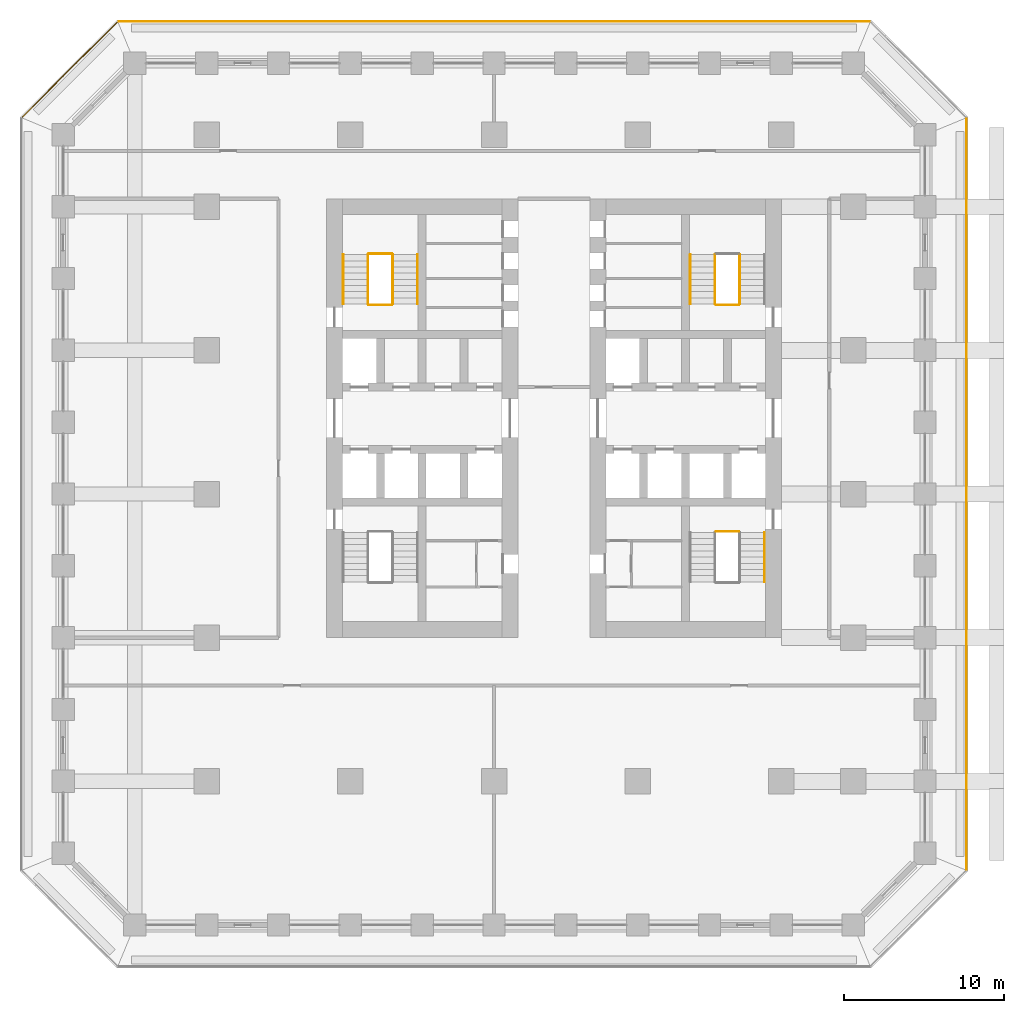
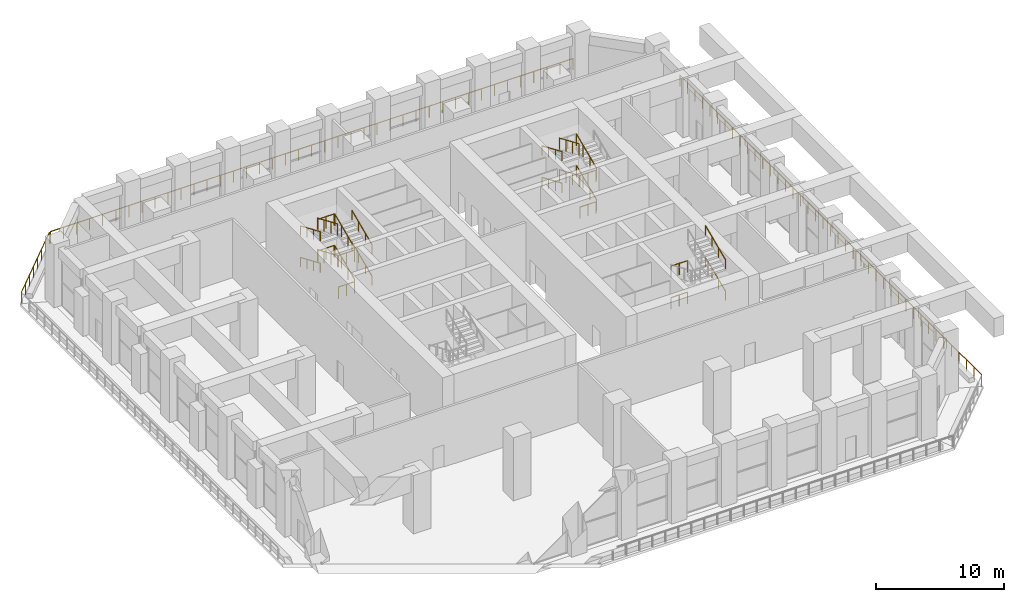
# One storey, part 19 of 21: 27 railings.
"""IFC4 building model written with IfcOpenShell, lengths in metres."""

from ifc_helpers import new_model, si_unit, direction, frame, origin, origin_2d, place, context, subcontext, project, spatial, circle, extrude, material, type_object, element, save


model = new_model("IFC4")

# Units and contexts
model_context = context("Model", 3, precision=1e-05, world=origin(), true_north=direction((0.0, 1.0)))
body_context = subcontext(model_context, "Body", "Model", "MODEL_VIEW")
ifc_project = project(units=[si_unit("LENGTHUNIT", "METRE"), si_unit("AREAUNIT", "SQUARE_METRE"), si_unit("VOLUMEUNIT", "CUBIC_METRE"), si_unit("PLANEANGLEUNIT", "RADIAN"), si_unit("MASSUNIT", "GRAM", prefix="KILO")], contexts=[model_context])

# Site, building, storey
site_placement = place(None, origin())
site = spatial("IfcSite", under=ifc_project, at=site_placement, CompositionType="ELEMENT")
building_placement = place(site_placement, origin())
building = spatial("IfcBuilding", under=site, at=building_placement, Name="Corbel Stack Research Tower", CompositionType="ELEMENT")
storey_placement = place(building_placement, frame((0.0, 0.0, 35.89990234375)))
storey = spatial("IfcBuildingStorey", under=building, at=storey_placement, Name="L08", CompositionType="ELEMENT", Elevation=35.89990234375)

# Railings
ifc_material_1 = material(Name="Steel S355", Category="steel")
railing_type_1 = type_object("IfcRailingType", Name="Stair guard 1100", PredefinedType="GUARDRAIL", material=ifc_material_1)
railing_1_placement = place(storey_placement, frame((-6.35009765625, 11.89990234375, 0.166748046875)))
element("IfcRailing", 1, at=railing_1_placement, inside=storey, type_object=railing_type_1, Name="L08 ST-W2 stair guard 1", PredefinedType="GUARDRAIL", context=body_context, shape_type="SweptSolid", body=[
    extrude(circle(Radius=0.02392578125, at=origin_2d()), frame((0.0, 0.0, 1.076171875), z_axis=(0.0, 0.918826996994, 0.394660549834), x_axis=(-1.0, 0.0, 0.0)), (0.0, 0.0, 1.0), 3.378173828125),
    extrude(circle(Radius=0.02099609375, at=origin_2d()), origin(), (0.0, 0.0, 1.0), 1.052001953125),
    extrude(circle(Radius=0.02099609375, at=origin_2d()), frame((0.0, 1.03466796875, 0.4443359375)), (0.0, 0.0, 1.0), 1.052001953125),
    extrude(circle(Radius=0.02099609375, at=origin_2d()), frame((0.0, 2.0693359375, 0.888916015625)), (0.0, 0.0, 1.0), 1.052001953125),
    extrude(circle(Radius=0.02099609375, at=origin_2d()), frame((0.0, 3.10400390625, 1.333251953125)), (0.0, 0.0, 1.0), 1.052001953125),
])
railing_2_placement = place(storey_placement, frame((-6.39990234375, 15.053955078125, 1.5)))
element("IfcRailing", 2, at=railing_2_placement, inside=storey, type_object=railing_type_1, Name="L08 ST-W2 stair guard 2", PredefinedType="GUARDRAIL", context=body_context, shape_type="SweptSolid", body=[
    extrude(circle(Radius=0.02392578125, at=origin_2d()), frame((0.0, 0.0, 1.076171875), z_axis=(-1.0, 0.0, 0.0), x_axis=(0.0, -1.0, 0.0)), (0.0, 0.0, 1.0), 1.4501953125),
    extrude(circle(Radius=0.02099609375, at=origin_2d()), origin(), (0.0, 0.0, 1.0), 1.052001953125),
    extrude(circle(Radius=0.02099609375, at=origin_2d()), frame((-0.72509765625, 0.0, 0.0)), (0.0, 0.0, 1.0), 1.052001953125),
    extrude(circle(Radius=0.02099609375, at=origin_2d()), frame((-1.4501953125, 0.0, 0.0)), (0.0, 0.0, 1.0), 1.052001953125),
])
railing_3_placement = place(storey_placement, frame((-7.89990234375, 15.00390625, 1.666748046875)))
element("IfcRailing", 3, at=railing_3_placement, inside=storey, type_object=railing_type_1, Name="L08 ST-W2 stair guard 3", PredefinedType="GUARDRAIL", context=body_context, shape_type="SweptSolid", body=[
    extrude(circle(Radius=0.02392578125, at=origin_2d()), frame((0.0, 0.0, 1.076171875), z_axis=(0.0, -0.918826996994, 0.394660549834), x_axis=(1.0, 0.0, 0.0)), (0.0, 0.0, 1.0), 3.378173828125),
    extrude(circle(Radius=0.02099609375, at=origin_2d()), origin(), (0.0, 0.0, 1.0), 1.052001953125),
    extrude(circle(Radius=0.02099609375, at=origin_2d()), frame((0.0, -1.03466796875, 0.4443359375)), (0.0, 0.0, 1.0), 1.052001953125),
    extrude(circle(Radius=0.02099609375, at=origin_2d()), frame((0.0, -2.0693359375, 0.888916015625)), (0.0, 0.0, 1.0), 1.052001953125),
    extrude(circle(Radius=0.02099609375, at=origin_2d()), frame((0.0, -3.10400390625, 1.333251953125)), (0.0, 0.0, 1.0), 1.052001953125),
])
railing_4_placement = place(storey_placement, frame((-6.39990234375, 11.85009765625, 3.0)))
element("IfcRailing", 4, at=railing_4_placement, inside=storey, type_object=railing_type_1, Name="L08 ST-W2 stair guard 4", PredefinedType="GUARDRAIL", context=body_context, shape_type="SweptSolid", body=[
    extrude(circle(Radius=0.02392578125, at=origin_2d()), frame((0.0, 0.0, 1.076171875), z_axis=(-1.0, 0.0, 0.0), x_axis=(0.0, -1.0, 0.0)), (0.0, 0.0, 1.0), 1.4501953125),
    extrude(circle(Radius=0.02099609375, at=origin_2d()), origin(), (0.0, 0.0, 1.0), 1.052001953125),
    extrude(circle(Radius=0.02099609375, at=origin_2d()), frame((-0.72509765625, 0.0, 0.0)), (0.0, 0.0, 1.0), 1.052001953125),
    extrude(circle(Radius=0.02099609375, at=origin_2d()), frame((-1.4501953125, 0.0, 0.0)), (0.0, 0.0, 1.0), 1.052001953125),
])
railing_5_placement = place(storey_placement, frame((-6.35009765625, 11.89990234375, 3.166748046875)))
element("IfcRailing", 5, at=railing_5_placement, inside=storey, type_object=railing_type_1, Name="L08 ST-W2 stair guard 5", PredefinedType="GUARDRAIL", context=body_context, shape_type="SweptSolid", body=[
    extrude(circle(Radius=0.02392578125, at=origin_2d()), frame((0.0, 0.0, 1.076171875), z_axis=(0.0, 0.918826996994, 0.394660549834), x_axis=(-1.0, 0.0, 0.0)), (0.0, 0.0, 1.0), 3.378173828125),
    extrude(circle(Radius=0.02099609375, at=origin_2d()), origin(), (0.0, 0.0, 1.0), 1.052001953125),
    extrude(circle(Radius=0.02099609375, at=origin_2d()), frame((0.0, 1.03466796875, 0.4443359375)), (0.0, 0.0, 1.0), 1.052001953125),
    extrude(circle(Radius=0.02099609375, at=origin_2d()), frame((0.0, 2.0693359375, 0.888916015625)), (0.0, 0.0, 1.0), 1.052001953125),
    extrude(circle(Radius=0.02099609375, at=origin_2d()), frame((0.0, 3.10400390625, 1.333251953125)), (0.0, 0.0, 1.0), 1.052001953125),
])
railing_6_placement = place(storey_placement, frame((-6.39990234375, 15.053955078125, 4.5)))
element("IfcRailing", 6, at=railing_6_placement, inside=storey, type_object=railing_type_1, Name="L08 ST-W2 stair guard 6", PredefinedType="GUARDRAIL", context=body_context, shape_type="SweptSolid", body=[
    extrude(circle(Radius=0.02392578125, at=origin_2d()), frame((0.0, 0.0, 1.076171875), z_axis=(-1.0, 0.0, 0.0), x_axis=(0.0, -1.0, 0.0)), (0.0, 0.0, 1.0), 1.4501953125),
    extrude(circle(Radius=0.02099609375, at=origin_2d()), origin(), (0.0, 0.0, 1.0), 1.052001953125),
    extrude(circle(Radius=0.02099609375, at=origin_2d()), frame((-0.72509765625, 0.0, 0.0)), (0.0, 0.0, 1.0), 1.052001953125),
    extrude(circle(Radius=0.02099609375, at=origin_2d()), frame((-1.4501953125, 0.0, 0.0)), (0.0, 0.0, 1.0), 1.052001953125),
])
railing_7_placement = place(storey_placement, frame((-7.89990234375, 15.00390625, 4.666748046875)))
element("IfcRailing", 7, at=railing_7_placement, inside=storey, type_object=railing_type_1, Name="L08 ST-W2 stair guard 7", PredefinedType="GUARDRAIL", context=body_context, shape_type="SweptSolid", body=[
    extrude(circle(Radius=0.02392578125, at=origin_2d()), frame((0.0, 0.0, 1.076171875), z_axis=(0.0, -0.918826996994, 0.394660549834), x_axis=(1.0, 0.0, 0.0)), (0.0, 0.0, 1.0), 3.378173828125),
    extrude(circle(Radius=0.02099609375, at=origin_2d()), origin(), (0.0, 0.0, 1.0), 1.052001953125),
    extrude(circle(Radius=0.02099609375, at=origin_2d()), frame((0.0, -1.03466796875, 0.4443359375)), (0.0, 0.0, 1.0), 1.052001953125),
    extrude(circle(Radius=0.02099609375, at=origin_2d()), frame((0.0, -2.0693359375, 0.888916015625)), (0.0, 0.0, 1.0), 1.052001953125),
    extrude(circle(Radius=0.02099609375, at=origin_2d()), frame((0.0, -3.10400390625, 1.333251953125)), (0.0, 0.0, 1.0), 1.052001953125),
])
railing_8_placement = place(storey_placement, frame((-6.39990234375, 11.85009765625, 0.0)))
element("IfcRailing", 8, at=railing_8_placement, inside=storey, type_object=railing_type_1, Name="L08 ST-W2 stair guard 8", PredefinedType="GUARDRAIL", context=body_context, shape_type="SweptSolid", body=[
    extrude(circle(Radius=0.02392578125, at=origin_2d()), frame((0.0, 0.0, 1.076171875), z_axis=(-1.0, 0.0, 0.0), x_axis=(0.0, -1.0, 0.0)), (0.0, 0.0, 1.0), 1.4501953125),
    extrude(circle(Radius=0.02099609375, at=origin_2d()), origin(), (0.0, 0.0, 1.0), 1.052001953125),
    extrude(circle(Radius=0.02099609375, at=origin_2d()), frame((-0.72509765625, 0.0, 0.0)), (0.0, 0.0, 1.0), 1.052001953125),
    extrude(circle(Radius=0.02099609375, at=origin_2d()), frame((-1.4501953125, 0.0, 0.0)), (0.0, 0.0, 1.0), 1.052001953125),
])
for number, where, name in (
    (9, (13.89990234375, -2.35009765625, 3.0), "L08 ST-E1 stair guard 4"),
    (10, (13.89990234375, -2.35009765625, 0.0), "L08 ST-E1 stair guard 8"),
):
    element("IfcRailing", number, at=place(storey_placement, frame(where)), inside=storey, type_object=railing_type_1, Name=name, PredefinedType="GUARDRAIL", context=body_context, shape_type="SweptSolid", body=[
        extrude(circle(Radius=0.02392578125, at=origin_2d()), frame((0.0, 0.0, 1.076171875), z_axis=(1.0, 0.0, 0.0), x_axis=(0.0, 1.0, 0.0)), (0.0, 0.0, 1.0), 1.4501953125),
        extrude(circle(Radius=0.02099609375, at=origin_2d()), origin(), (0.0, 0.0, 1.0), 1.052001953125),
        extrude(circle(Radius=0.02099609375, at=origin_2d()), frame((0.72509765625, 0.0, 0.0)), (0.0, 0.0, 1.0), 1.052001953125),
        extrude(circle(Radius=0.02099609375, at=origin_2d()), frame((1.4501953125, 0.0, 0.0)), (0.0, 0.0, 1.0), 1.052001953125),
    ])
railing_9_placement = place(storey_placement, frame((15.39990234375, 11.89990234375, 0.166748046875)))
element("IfcRailing", 11, at=railing_9_placement, inside=storey, type_object=railing_type_1, Name="L08 ST-E2 stair guard 1", PredefinedType="GUARDRAIL", context=body_context, shape_type="SweptSolid", body=[
    extrude(circle(Radius=0.02392578125, at=origin_2d()), frame((0.0, 0.0, 1.076171875), z_axis=(0.0, 0.918826996994, 0.394660549834), x_axis=(-1.0, 0.0, 0.0)), (0.0, 0.0, 1.0), 3.378173828125),
    extrude(circle(Radius=0.02099609375, at=origin_2d()), origin(), (0.0, 0.0, 1.0), 1.052001953125),
    extrude(circle(Radius=0.02099609375, at=origin_2d()), frame((0.0, 1.03466796875, 0.4443359375)), (0.0, 0.0, 1.0), 1.052001953125),
    extrude(circle(Radius=0.02099609375, at=origin_2d()), frame((0.0, 2.0693359375, 0.888916015625)), (0.0, 0.0, 1.0), 1.052001953125),
    extrude(circle(Radius=0.02099609375, at=origin_2d()), frame((0.0, 3.10400390625, 1.333251953125)), (0.0, 0.0, 1.0), 1.052001953125),
])
railing_10_placement = place(storey_placement, frame((13.85009765625, 15.00390625, 1.666748046875)))
element("IfcRailing", 12, at=railing_10_placement, inside=storey, type_object=railing_type_1, Name="L08 ST-E2 stair guard 3", PredefinedType="GUARDRAIL", context=body_context, shape_type="SweptSolid", body=[
    extrude(circle(Radius=0.02392578125, at=origin_2d()), frame((0.0, 0.0, 1.076171875), z_axis=(0.0, -0.918826996994, 0.394660549834), x_axis=(1.0, 0.0, 0.0)), (0.0, 0.0, 1.0), 3.378173828125),
    extrude(circle(Radius=0.02099609375, at=origin_2d()), origin(), (0.0, 0.0, 1.0), 1.052001953125),
    extrude(circle(Radius=0.02099609375, at=origin_2d()), frame((0.0, -1.03466796875, 0.4443359375)), (0.0, 0.0, 1.0), 1.052001953125),
    extrude(circle(Radius=0.02099609375, at=origin_2d()), frame((0.0, -2.0693359375, 0.888916015625)), (0.0, 0.0, 1.0), 1.052001953125),
    extrude(circle(Radius=0.02099609375, at=origin_2d()), frame((0.0, -3.10400390625, 1.333251953125)), (0.0, 0.0, 1.0), 1.052001953125),
])
railing_11_placement = place(storey_placement, frame((15.35009765625, 11.85009765625, 3.0)))
element("IfcRailing", 13, at=railing_11_placement, inside=storey, type_object=railing_type_1, Name="L08 ST-E2 stair guard 4", PredefinedType="GUARDRAIL", context=body_context, shape_type="SweptSolid", body=[
    extrude(circle(Radius=0.02392578125, at=origin_2d()), frame((0.0, 0.0, 1.076171875), z_axis=(-1.0, 0.0, 0.0), x_axis=(0.0, -1.0, 0.0)), (0.0, 0.0, 1.0), 1.4501953125),
    extrude(circle(Radius=0.02099609375, at=origin_2d()), origin(), (0.0, 0.0, 1.0), 1.052001953125),
    extrude(circle(Radius=0.02099609375, at=origin_2d()), frame((-0.72509765625, 0.0, 0.0)), (0.0, 0.0, 1.0), 1.052001953125),
    extrude(circle(Radius=0.02099609375, at=origin_2d()), frame((-1.4501953125, 0.0, 0.0)), (0.0, 0.0, 1.0), 1.052001953125),
])
railing_12_placement = place(storey_placement, frame((15.39990234375, 11.89990234375, 3.166748046875)))
element("IfcRailing", 14, at=railing_12_placement, inside=storey, type_object=railing_type_1, Name="L08 ST-E2 stair guard 5", PredefinedType="GUARDRAIL", context=body_context, shape_type="SweptSolid", body=[
    extrude(circle(Radius=0.02392578125, at=origin_2d()), frame((0.0, 0.0, 1.076171875), z_axis=(0.0, 0.918826996994, 0.394660549834), x_axis=(-1.0, 0.0, 0.0)), (0.0, 0.0, 1.0), 3.378173828125),
    extrude(circle(Radius=0.02099609375, at=origin_2d()), origin(), (0.0, 0.0, 1.0), 1.052001953125),
    extrude(circle(Radius=0.02099609375, at=origin_2d()), frame((0.0, 1.03466796875, 0.4443359375)), (0.0, 0.0, 1.0), 1.052001953125),
    extrude(circle(Radius=0.02099609375, at=origin_2d()), frame((0.0, 2.0693359375, 0.888916015625)), (0.0, 0.0, 1.0), 1.052001953125),
    extrude(circle(Radius=0.02099609375, at=origin_2d()), frame((0.0, 3.10400390625, 1.333251953125)), (0.0, 0.0, 1.0), 1.052001953125),
])
railing_13_placement = place(storey_placement, frame((13.85009765625, 15.00390625, 4.666748046875)))
element("IfcRailing", 15, at=railing_13_placement, inside=storey, type_object=railing_type_1, Name="L08 ST-E2 stair guard 7", PredefinedType="GUARDRAIL", context=body_context, shape_type="SweptSolid", body=[
    extrude(circle(Radius=0.02392578125, at=origin_2d()), frame((0.0, 0.0, 1.076171875), z_axis=(0.0, -0.918826996994, 0.394660549834), x_axis=(1.0, 0.0, 0.0)), (0.0, 0.0, 1.0), 3.378173828125),
    extrude(circle(Radius=0.02099609375, at=origin_2d()), origin(), (0.0, 0.0, 1.0), 1.052001953125),
    extrude(circle(Radius=0.02099609375, at=origin_2d()), frame((0.0, -1.03466796875, 0.4443359375)), (0.0, 0.0, 1.0), 1.052001953125),
    extrude(circle(Radius=0.02099609375, at=origin_2d()), frame((0.0, -2.0693359375, 0.888916015625)), (0.0, 0.0, 1.0), 1.052001953125),
    extrude(circle(Radius=0.02099609375, at=origin_2d()), frame((0.0, -3.10400390625, 1.333251953125)), (0.0, 0.0, 1.0), 1.052001953125),
])
railing_14_placement = place(storey_placement, frame((15.35009765625, 11.85009765625, 0.0)))
element("IfcRailing", 16, at=railing_14_placement, inside=storey, type_object=railing_type_1, Name="L08 ST-E2 stair guard 8", PredefinedType="GUARDRAIL", context=body_context, shape_type="SweptSolid", body=[
    extrude(circle(Radius=0.02392578125, at=origin_2d()), frame((0.0, 0.0, 1.076171875), z_axis=(-1.0, 0.0, 0.0), x_axis=(0.0, -1.0, 0.0)), (0.0, 0.0, 1.0), 1.4501953125),
    extrude(circle(Radius=0.02099609375, at=origin_2d()), origin(), (0.0, 0.0, 1.0), 1.052001953125),
    extrude(circle(Radius=0.02099609375, at=origin_2d()), frame((-0.72509765625, 0.0, 0.0)), (0.0, 0.0, 1.0), 1.052001953125),
    extrude(circle(Radius=0.02099609375, at=origin_2d()), frame((-1.4501953125, 0.0, 0.0)), (0.0, 0.0, 1.0), 1.052001953125),
])
ifc_material_2 = material(Name="Steel S355", Category="steel")
railing_type_2 = type_object("IfcRailingType", Name="Stair handrail 900", PredefinedType="HANDRAIL", material=ifc_material_2)
railing_15_placement = place(storey_placement, frame((-4.800048828125, 11.89990234375, 0.166748046875)))
element("IfcRailing", 17, at=railing_15_placement, inside=storey, type_object=railing_type_2, Name="L08 ST-W2 stair handrail 1", PredefinedType="HANDRAIL", context=body_context, shape_type="SweptSolid", body=[
    extrude(circle(Radius=0.02392578125, at=origin_2d()), frame((0.0, 0.0, 0.8759765625), z_axis=(0.0, 0.918826996994, 0.394660549834), x_axis=(-1.0, 0.0, 0.0)), (0.0, 0.0, 1.0), 3.378173828125),
    extrude(circle(Radius=0.02099609375, at=origin_2d()), origin(), (0.0, 0.0, 1.0), 0.851806640625),
    extrude(circle(Radius=0.02099609375, at=origin_2d()), frame((0.0, 1.03466796875, 0.4443359375)), (0.0, 0.0, 1.0), 0.851806640625),
    extrude(circle(Radius=0.02099609375, at=origin_2d()), frame((0.0, 2.0693359375, 0.888916015625)), (0.0, 0.0, 1.0), 0.851806640625),
    extrude(circle(Radius=0.02099609375, at=origin_2d()), frame((0.0, 3.10400390625, 1.333251953125)), (0.0, 0.0, 1.0), 0.851806640625),
])
railing_16_placement = place(storey_placement, frame((-9.449951171875, 15.00390625, 1.666748046875)))
element("IfcRailing", 18, at=railing_16_placement, inside=storey, type_object=railing_type_2, Name="L08 ST-W2 stair handrail 2", PredefinedType="HANDRAIL", context=body_context, shape_type="SweptSolid", body=[
    extrude(circle(Radius=0.02392578125, at=origin_2d()), frame((0.0, 0.0, 0.8759765625), z_axis=(0.0, -0.918826996994, 0.394660549834), x_axis=(1.0, 0.0, 0.0)), (0.0, 0.0, 1.0), 3.378173828125),
    extrude(circle(Radius=0.02099609375, at=origin_2d()), origin(), (0.0, 0.0, 1.0), 0.851806640625),
    extrude(circle(Radius=0.02099609375, at=origin_2d()), frame((0.0, -1.03466796875, 0.4443359375)), (0.0, 0.0, 1.0), 0.851806640625),
    extrude(circle(Radius=0.02099609375, at=origin_2d()), frame((0.0, -2.0693359375, 0.888916015625)), (0.0, 0.0, 1.0), 0.851806640625),
    extrude(circle(Radius=0.02099609375, at=origin_2d()), frame((0.0, -3.10400390625, 1.333251953125)), (0.0, 0.0, 1.0), 0.851806640625),
])
railing_17_placement = place(storey_placement, frame((-4.800048828125, 11.89990234375, 3.166748046875)))
element("IfcRailing", 19, at=railing_17_placement, inside=storey, type_object=railing_type_2, Name="L08 ST-W2 stair handrail 3", PredefinedType="HANDRAIL", context=body_context, shape_type="SweptSolid", body=[
    extrude(circle(Radius=0.02392578125, at=origin_2d()), frame((0.0, 0.0, 0.8759765625), z_axis=(0.0, 0.918826996994, 0.394660549834), x_axis=(-1.0, 0.0, 0.0)), (0.0, 0.0, 1.0), 3.378173828125),
    extrude(circle(Radius=0.02099609375, at=origin_2d()), origin(), (0.0, 0.0, 1.0), 0.851806640625),
    extrude(circle(Radius=0.02099609375, at=origin_2d()), frame((0.0, 1.03466796875, 0.4443359375)), (0.0, 0.0, 1.0), 0.851806640625),
    extrude(circle(Radius=0.02099609375, at=origin_2d()), frame((0.0, 2.0693359375, 0.888916015625)), (0.0, 0.0, 1.0), 0.851806640625),
    extrude(circle(Radius=0.02099609375, at=origin_2d()), frame((0.0, 3.10400390625, 1.333251953125)), (0.0, 0.0, 1.0), 0.851806640625),
])
railing_18_placement = place(storey_placement, frame((-9.449951171875, 15.00390625, 4.666748046875)))
element("IfcRailing", 20, at=railing_18_placement, inside=storey, type_object=railing_type_2, Name="L08 ST-W2 stair handrail 4", PredefinedType="HANDRAIL", context=body_context, shape_type="SweptSolid", body=[
    extrude(circle(Radius=0.02392578125, at=origin_2d()), frame((0.0, 0.0, 0.8759765625), z_axis=(0.0, -0.918826996994, 0.394660549834), x_axis=(1.0, 0.0, 0.0)), (0.0, 0.0, 1.0), 3.378173828125),
    extrude(circle(Radius=0.02099609375, at=origin_2d()), origin(), (0.0, 0.0, 1.0), 0.851806640625),
    extrude(circle(Radius=0.02099609375, at=origin_2d()), frame((0.0, -1.03466796875, 0.4443359375)), (0.0, 0.0, 1.0), 0.851806640625),
    extrude(circle(Radius=0.02099609375, at=origin_2d()), frame((0.0, -2.0693359375, 0.888916015625)), (0.0, 0.0, 1.0), 0.851806640625),
    extrude(circle(Radius=0.02099609375, at=origin_2d()), frame((0.0, -3.10400390625, 1.333251953125)), (0.0, 0.0, 1.0), 0.851806640625),
])
for number, where, name in (
    (21, (16.949951171875, -5.50390625, 1.666748046875), "L08 ST-E1 stair handrail 2"),
    (22, (16.949951171875, -5.50390625, 4.666748046875), "L08 ST-E1 stair handrail 4"),
):
    element("IfcRailing", number, at=place(storey_placement, frame(where)), inside=storey, type_object=railing_type_2, Name=name, PredefinedType="HANDRAIL", context=body_context, shape_type="SweptSolid", body=[
        extrude(circle(Radius=0.02392578125, at=origin_2d()), frame((0.0, 0.0, 0.8759765625), z_axis=(0.0, 0.918826996994, 0.394660549834), x_axis=(-1.0, 0.0, 0.0)), (0.0, 0.0, 1.0), 3.378173828125),
        extrude(circle(Radius=0.02099609375, at=origin_2d()), origin(), (0.0, 0.0, 1.0), 0.851806640625),
        extrude(circle(Radius=0.02099609375, at=origin_2d()), frame((0.0, 1.03466796875, 0.4443359375)), (0.0, 0.0, 1.0), 0.851806640625),
        extrude(circle(Radius=0.02099609375, at=origin_2d()), frame((0.0, 2.0693359375, 0.888916015625)), (0.0, 0.0, 1.0), 0.851806640625),
        extrude(circle(Radius=0.02099609375, at=origin_2d()), frame((0.0, 3.10400390625, 1.333251953125)), (0.0, 0.0, 1.0), 0.851806640625),
    ])
for number, where, name in (
    (23, (12.300048828125, 15.00390625, 1.666748046875), "L08 ST-E2 stair handrail 2"),
    (24, (12.300048828125, 15.00390625, 4.666748046875), "L08 ST-E2 stair handrail 4"),
):
    element("IfcRailing", number, at=place(storey_placement, frame(where)), inside=storey, type_object=railing_type_2, Name=name, PredefinedType="HANDRAIL", context=body_context, shape_type="SweptSolid", body=[
        extrude(circle(Radius=0.02392578125, at=origin_2d()), frame((0.0, 0.0, 0.8759765625), z_axis=(0.0, -0.918826996994, 0.394660549834), x_axis=(1.0, 0.0, 0.0)), (0.0, 0.0, 1.0), 3.378173828125),
        extrude(circle(Radius=0.02099609375, at=origin_2d()), origin(), (0.0, 0.0, 1.0), 0.851806640625),
        extrude(circle(Radius=0.02099609375, at=origin_2d()), frame((0.0, -1.03466796875, 0.4443359375)), (0.0, 0.0, 1.0), 0.851806640625),
        extrude(circle(Radius=0.02099609375, at=origin_2d()), frame((0.0, -2.0693359375, 0.888916015625)), (0.0, 0.0, 1.0), 0.851806640625),
        extrude(circle(Radius=0.02099609375, at=origin_2d()), frame((0.0, -3.10400390625, 1.333251953125)), (0.0, 0.0, 1.0), 0.851806640625),
    ])
ifc_material_3 = material(Name="Powder-coated steel guard", Category="steel")
railing_type_3 = type_object("IfcRailingType", Name="Steel and glass guard 1100", PredefinedType="GUARDRAIL", material=ifc_material_3)
railing_19_placement = place(storey_placement, frame((29.60009765625, -23.50537109375, 0.0)))
element("IfcRailing", 25, at=railing_19_placement, inside=storey, type_object=railing_type_3, Name="Loggia guard L08 E", PredefinedType="GUARDRAIL", context=body_context, shape_type="SweptSolid", body=[
    extrude(circle(Radius=0.02392578125, at=origin_2d()), frame((0.0, 0.0, 1.076171875), z_axis=(0.0, 1.0, 0.0), x_axis=(-1.0, 0.0, 0.0)), (0.0, 0.0, 1.0), 47.0107421875),
    extrude(circle(Radius=0.02099609375, at=origin_2d()), origin(), (0.0, 0.0, 1.0), 1.052001953125),
    extrude(circle(Radius=0.02099609375, at=origin_2d()), frame((0.0, 1.17529296875, 0.0)), (0.0, 0.0, 1.0), 1.052001953125),
    extrude(circle(Radius=0.02099609375, at=origin_2d()), frame((0.0, 2.3505859375, 0.0)), (0.0, 0.0, 1.0), 1.052001953125),
    extrude(circle(Radius=0.02099609375, at=origin_2d()), frame((0.0, 3.52587890625, 0.0)), (0.0, 0.0, 1.0), 1.052001953125),
    extrude(circle(Radius=0.02099609375, at=origin_2d()), frame((0.0, 4.701171875, 0.0)), (0.0, 0.0, 1.0), 1.052001953125),
    extrude(circle(Radius=0.02099609375, at=origin_2d()), frame((0.0, 5.87646484375, 0.0)), (0.0, 0.0, 1.0), 1.052001953125),
    extrude(circle(Radius=0.02099609375, at=origin_2d()), frame((0.0, 7.051513671875, 0.0)), (0.0, 0.0, 1.0), 1.052001953125),
    extrude(circle(Radius=0.02099609375, at=origin_2d()), frame((0.0, 8.226806640625, 0.0)), (0.0, 0.0, 1.0), 1.052001953125),
    extrude(circle(Radius=0.02099609375, at=origin_2d()), frame((0.0, 9.402099609375, 0.0)), (0.0, 0.0, 1.0), 1.052001953125),
    extrude(circle(Radius=0.02099609375, at=origin_2d()), frame((0.0, 10.577392578125, 0.0)), (0.0, 0.0, 1.0), 1.052001953125),
    extrude(circle(Radius=0.02099609375, at=origin_2d()), frame((0.0, 11.752685546875, 0.0)), (0.0, 0.0, 1.0), 1.052001953125),
    extrude(circle(Radius=0.02099609375, at=origin_2d()), frame((0.0, 12.927978515625, 0.0)), (0.0, 0.0, 1.0), 1.052001953125),
    extrude(circle(Radius=0.02099609375, at=origin_2d()), frame((0.0, 14.103271484375, 0.0)), (0.0, 0.0, 1.0), 1.052001953125),
    extrude(circle(Radius=0.02099609375, at=origin_2d()), frame((0.0, 15.278564453125, 0.0)), (0.0, 0.0, 1.0), 1.052001953125),
    extrude(circle(Radius=0.02099609375, at=origin_2d()), frame((0.0, 16.453857421875, 0.0)), (0.0, 0.0, 1.0), 1.052001953125),
    extrude(circle(Radius=0.02099609375, at=origin_2d()), frame((0.0, 17.62890625, 0.0)), (0.0, 0.0, 1.0), 1.052001953125),
    extrude(circle(Radius=0.02099609375, at=origin_2d()), frame((0.0, 18.80419921875, 0.0)), (0.0, 0.0, 1.0), 1.052001953125),
    extrude(circle(Radius=0.02099609375, at=origin_2d()), frame((0.0, 19.9794921875, 0.0)), (0.0, 0.0, 1.0), 1.052001953125),
    extrude(circle(Radius=0.02099609375, at=origin_2d()), frame((0.0, 21.15478515625, 0.0)), (0.0, 0.0, 1.0), 1.052001953125),
    extrude(circle(Radius=0.02099609375, at=origin_2d()), frame((0.0, 22.330078125, 0.0)), (0.0, 0.0, 1.0), 1.052001953125),
    extrude(circle(Radius=0.02099609375, at=origin_2d()), frame((0.0, 23.50537109375, 0.0)), (0.0, 0.0, 1.0), 1.052001953125),
    extrude(circle(Radius=0.02099609375, at=origin_2d()), frame((0.0, 24.6806640625, 0.0)), (0.0, 0.0, 1.0), 1.052001953125),
    extrude(circle(Radius=0.02099609375, at=origin_2d()), frame((0.0, 25.85595703125, 0.0)), (0.0, 0.0, 1.0), 1.052001953125),
    extrude(circle(Radius=0.02099609375, at=origin_2d()), frame((0.0, 27.03125, 0.0)), (0.0, 0.0, 1.0), 1.052001953125),
    extrude(circle(Radius=0.02099609375, at=origin_2d()), frame((0.0, 28.20654296875, 0.0)), (0.0, 0.0, 1.0), 1.052001953125),
    extrude(circle(Radius=0.02099609375, at=origin_2d()), frame((0.0, 29.3818359375, 0.0)), (0.0, 0.0, 1.0), 1.052001953125),
    extrude(circle(Radius=0.02099609375, at=origin_2d()), frame((0.0, 30.556884765625, 0.0)), (0.0, 0.0, 1.0), 1.052001953125),
    extrude(circle(Radius=0.02099609375, at=origin_2d()), frame((0.0, 31.732177734375, 0.0)), (0.0, 0.0, 1.0), 1.052001953125),
    extrude(circle(Radius=0.02099609375, at=origin_2d()), frame((0.0, 32.907470703125, 0.0)), (0.0, 0.0, 1.0), 1.052001953125),
    extrude(circle(Radius=0.02099609375, at=origin_2d()), frame((0.0, 34.082763671875, 0.0)), (0.0, 0.0, 1.0), 1.052001953125),
    extrude(circle(Radius=0.02099609375, at=origin_2d()), frame((0.0, 35.258056640625, 0.0)), (0.0, 0.0, 1.0), 1.052001953125),
    extrude(circle(Radius=0.02099609375, at=origin_2d()), frame((0.0, 36.433349609375, 0.0)), (0.0, 0.0, 1.0), 1.052001953125),
    extrude(circle(Radius=0.02099609375, at=origin_2d()), frame((0.0, 37.608642578125, 0.0)), (0.0, 0.0, 1.0), 1.052001953125),
    extrude(circle(Radius=0.02099609375, at=origin_2d()), frame((0.0, 38.783935546875, 0.0)), (0.0, 0.0, 1.0), 1.052001953125),
    extrude(circle(Radius=0.02099609375, at=origin_2d()), frame((0.0, 39.959228515625, 0.0)), (0.0, 0.0, 1.0), 1.052001953125),
    extrude(circle(Radius=0.02099609375, at=origin_2d()), frame((0.0, 41.13427734375, 0.0)), (0.0, 0.0, 1.0), 1.052001953125),
    extrude(circle(Radius=0.02099609375, at=origin_2d()), frame((0.0, 42.3095703125, 0.0)), (0.0, 0.0, 1.0), 1.052001953125),
    extrude(circle(Radius=0.02099609375, at=origin_2d()), frame((0.0, 43.48486328125, 0.0)), (0.0, 0.0, 1.0), 1.052001953125),
    extrude(circle(Radius=0.02099609375, at=origin_2d()), frame((0.0, 44.66015625, 0.0)), (0.0, 0.0, 1.0), 1.052001953125),
    extrude(circle(Radius=0.02099609375, at=origin_2d()), frame((0.0, 45.83544921875, 0.0)), (0.0, 0.0, 1.0), 1.052001953125),
    extrude(circle(Radius=0.02099609375, at=origin_2d()), frame((0.0, 47.0107421875, 0.0)), (0.0, 0.0, 1.0), 1.052001953125),
])
railing_20_placement = place(storey_placement, frame((23.50537109375, 29.60009765625, 0.0)))
element("IfcRailing", 26, at=railing_20_placement, inside=storey, type_object=railing_type_3, Name="Loggia guard L08 N", PredefinedType="GUARDRAIL", context=body_context, shape_type="SweptSolid", body=[
    extrude(circle(Radius=0.02392578125, at=origin_2d()), frame((0.0, 0.0, 1.076171875), z_axis=(-1.0, 0.0, 0.0), x_axis=(0.0, -1.0, 0.0)), (0.0, 0.0, 1.0), 47.0107421875),
    extrude(circle(Radius=0.02099609375, at=origin_2d()), origin(), (0.0, 0.0, 1.0), 1.052001953125),
    extrude(circle(Radius=0.02099609375, at=origin_2d()), frame((-1.17529296875, 0.0, 0.0)), (0.0, 0.0, 1.0), 1.052001953125),
    extrude(circle(Radius=0.02099609375, at=origin_2d()), frame((-2.3505859375, 0.0, 0.0)), (0.0, 0.0, 1.0), 1.052001953125),
    extrude(circle(Radius=0.02099609375, at=origin_2d()), frame((-3.52587890625, 0.0, 0.0)), (0.0, 0.0, 1.0), 1.052001953125),
    extrude(circle(Radius=0.02099609375, at=origin_2d()), frame((-4.701171875, 0.0, 0.0)), (0.0, 0.0, 1.0), 1.052001953125),
    extrude(circle(Radius=0.02099609375, at=origin_2d()), frame((-5.87646484375, 0.0, 0.0)), (0.0, 0.0, 1.0), 1.052001953125),
    extrude(circle(Radius=0.02099609375, at=origin_2d()), frame((-7.051513671875, 0.0, 0.0)), (0.0, 0.0, 1.0), 1.052001953125),
    extrude(circle(Radius=0.02099609375, at=origin_2d()), frame((-8.226806640625, 0.0, 0.0)), (0.0, 0.0, 1.0), 1.052001953125),
    extrude(circle(Radius=0.02099609375, at=origin_2d()), frame((-9.402099609375, 0.0, 0.0)), (0.0, 0.0, 1.0), 1.052001953125),
    extrude(circle(Radius=0.02099609375, at=origin_2d()), frame((-10.577392578125, 0.0, 0.0)), (0.0, 0.0, 1.0), 1.052001953125),
    extrude(circle(Radius=0.02099609375, at=origin_2d()), frame((-11.752685546875, 0.0, 0.0)), (0.0, 0.0, 1.0), 1.052001953125),
    extrude(circle(Radius=0.02099609375, at=origin_2d()), frame((-12.927978515625, 0.0, 0.0)), (0.0, 0.0, 1.0), 1.052001953125),
    extrude(circle(Radius=0.02099609375, at=origin_2d()), frame((-14.103271484375, 0.0, 0.0)), (0.0, 0.0, 1.0), 1.052001953125),
    extrude(circle(Radius=0.02099609375, at=origin_2d()), frame((-15.278564453125, 0.0, 0.0)), (0.0, 0.0, 1.0), 1.052001953125),
    extrude(circle(Radius=0.02099609375, at=origin_2d()), frame((-16.453857421875, 0.0, 0.0)), (0.0, 0.0, 1.0), 1.052001953125),
    extrude(circle(Radius=0.02099609375, at=origin_2d()), frame((-17.62890625, 0.0, 0.0)), (0.0, 0.0, 1.0), 1.052001953125),
    extrude(circle(Radius=0.02099609375, at=origin_2d()), frame((-18.80419921875, 0.0, 0.0)), (0.0, 0.0, 1.0), 1.052001953125),
    extrude(circle(Radius=0.02099609375, at=origin_2d()), frame((-19.9794921875, 0.0, 0.0)), (0.0, 0.0, 1.0), 1.052001953125),
    extrude(circle(Radius=0.02099609375, at=origin_2d()), frame((-21.15478515625, 0.0, 0.0)), (0.0, 0.0, 1.0), 1.052001953125),
    extrude(circle(Radius=0.02099609375, at=origin_2d()), frame((-22.330078125, 0.0, 0.0)), (0.0, 0.0, 1.0), 1.052001953125),
    extrude(circle(Radius=0.02099609375, at=origin_2d()), frame((-23.50537109375, 0.0, 0.0)), (0.0, 0.0, 1.0), 1.052001953125),
    extrude(circle(Radius=0.02099609375, at=origin_2d()), frame((-24.6806640625, 0.0, 0.0)), (0.0, 0.0, 1.0), 1.052001953125),
    extrude(circle(Radius=0.02099609375, at=origin_2d()), frame((-25.85595703125, 0.0, 0.0)), (0.0, 0.0, 1.0), 1.052001953125),
    extrude(circle(Radius=0.02099609375, at=origin_2d()), frame((-27.03125, 0.0, 0.0)), (0.0, 0.0, 1.0), 1.052001953125),
    extrude(circle(Radius=0.02099609375, at=origin_2d()), frame((-28.20654296875, 0.0, 0.0)), (0.0, 0.0, 1.0), 1.052001953125),
    extrude(circle(Radius=0.02099609375, at=origin_2d()), frame((-29.3818359375, 0.0, 0.0)), (0.0, 0.0, 1.0), 1.052001953125),
    extrude(circle(Radius=0.02099609375, at=origin_2d()), frame((-30.556884765625, 0.0, 0.0)), (0.0, 0.0, 1.0), 1.052001953125),
    extrude(circle(Radius=0.02099609375, at=origin_2d()), frame((-31.732177734375, 0.0, 0.0)), (0.0, 0.0, 1.0), 1.052001953125),
    extrude(circle(Radius=0.02099609375, at=origin_2d()), frame((-32.907470703125, 0.0, 0.0)), (0.0, 0.0, 1.0), 1.052001953125),
    extrude(circle(Radius=0.02099609375, at=origin_2d()), frame((-34.082763671875, 0.0, 0.0)), (0.0, 0.0, 1.0), 1.052001953125),
    extrude(circle(Radius=0.02099609375, at=origin_2d()), frame((-35.258056640625, 0.0, 0.0)), (0.0, 0.0, 1.0), 1.052001953125),
    extrude(circle(Radius=0.02099609375, at=origin_2d()), frame((-36.433349609375, 0.0, 0.0)), (0.0, 0.0, 1.0), 1.052001953125),
    extrude(circle(Radius=0.02099609375, at=origin_2d()), frame((-37.608642578125, 0.0, 0.0)), (0.0, 0.0, 1.0), 1.052001953125),
    extrude(circle(Radius=0.02099609375, at=origin_2d()), frame((-38.783935546875, 0.0, 0.0)), (0.0, 0.0, 1.0), 1.052001953125),
    extrude(circle(Radius=0.02099609375, at=origin_2d()), frame((-39.959228515625, 0.0, 0.0)), (0.0, 0.0, 1.0), 1.052001953125),
    extrude(circle(Radius=0.02099609375, at=origin_2d()), frame((-41.13427734375, 0.0, 0.0)), (0.0, 0.0, 1.0), 1.052001953125),
    extrude(circle(Radius=0.02099609375, at=origin_2d()), frame((-42.3095703125, 0.0, 0.0)), (0.0, 0.0, 1.0), 1.052001953125),
    extrude(circle(Radius=0.02099609375, at=origin_2d()), frame((-43.48486328125, 0.0, 0.0)), (0.0, 0.0, 1.0), 1.052001953125),
    extrude(circle(Radius=0.02099609375, at=origin_2d()), frame((-44.66015625, 0.0, 0.0)), (0.0, 0.0, 1.0), 1.052001953125),
    extrude(circle(Radius=0.02099609375, at=origin_2d()), frame((-45.83544921875, 0.0, 0.0)), (0.0, 0.0, 1.0), 1.052001953125),
    extrude(circle(Radius=0.02099609375, at=origin_2d()), frame((-47.0107421875, 0.0, 0.0)), (0.0, 0.0, 1.0), 1.052001953125),
])
railing_21_placement = place(storey_placement, frame((-23.627685546875, 29.54931640625, 0.0)))
element("IfcRailing", 27, at=railing_21_placement, inside=storey, type_object=railing_type_3, Name="Loggia guard L08 NW", PredefinedType="GUARDRAIL", context=body_context, shape_type="SweptSolid", body=[
    extrude(circle(Radius=0.02392578125, at=origin_2d()), frame((0.0, 0.0, 1.076171875), z_axis=(-0.707106781187, -0.707106781187, 0.0), x_axis=(0.707106781187, -0.707106781187, 0.0)), (0.0, 0.0, 1.0), 8.37451171875),
    extrude(circle(Radius=0.02099609375, at=origin_2d()), origin(), (0.0, 0.0, 1.0), 1.052001953125),
    extrude(circle(Radius=0.02099609375, at=origin_2d()), frame((-0.845947265625, -0.845947265625, 0.0)), (0.0, 0.0, 1.0), 1.052001953125),
    extrude(circle(Radius=0.02099609375, at=origin_2d()), frame((-1.69189453125, -1.69189453125, 0.0)), (0.0, 0.0, 1.0), 1.052001953125),
    extrude(circle(Radius=0.02099609375, at=origin_2d()), frame((-2.537841796875, -2.537841796875, 0.0)), (0.0, 0.0, 1.0), 1.052001953125),
    extrude(circle(Radius=0.02099609375, at=origin_2d()), frame((-3.3837890625, -3.3837890625, 0.0)), (0.0, 0.0, 1.0), 1.052001953125),
    extrude(circle(Radius=0.02099609375, at=origin_2d()), frame((-4.229736328125, -4.229736328125, 0.0)), (0.0, 0.0, 1.0), 1.052001953125),
    extrude(circle(Radius=0.02099609375, at=origin_2d()), frame((-5.07568359375, -5.07568359375, 0.0)), (0.0, 0.0, 1.0), 1.052001953125),
    extrude(circle(Radius=0.02099609375, at=origin_2d()), frame((-5.921630859375, -5.921630859375, 0.0)), (0.0, 0.0, 1.0), 1.052001953125),
])

save(model, "model.ifc")
